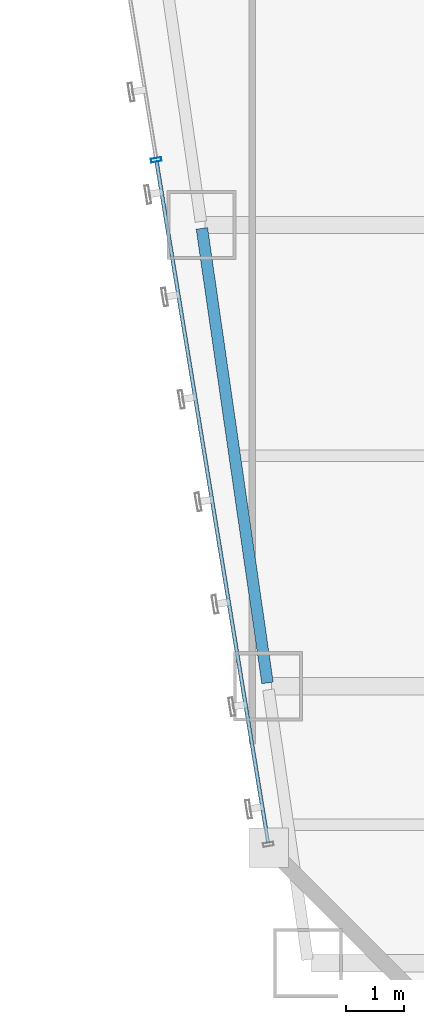
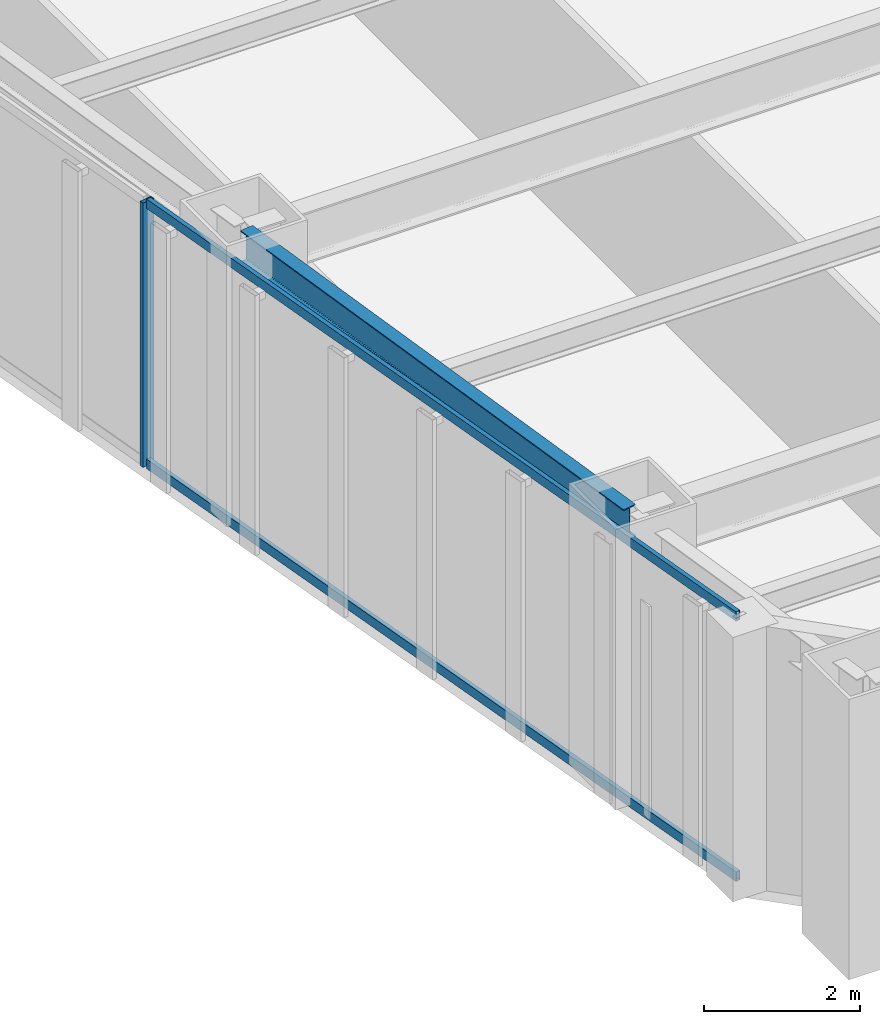
# One storey, part 5 of 47: 3 members, 1 beam, 1 element without a shape of its own.
"""IFC4 building model written with IfcOpenShell, lengths in metres."""

import ifcopenshell
import ifcopenshell.guid

model = None  # the IFC model being written
_history = None  # IfcOwnerHistory: only IFC2X3 demands one
_inside = {}  # id of a spatial element -> (the spatial element, [elements in it])
_under = {}  # id of a project, library or spatial element -> (it, [spatial elements below it])
_declared = {}  # id of a project -> (the project, [libraries it declares])
_typed = {}  # id of a type object -> (the type object, [elements of that type])
_made_of = {}  # id of a material, layer set ... -> (it, [elements and type objects made of it])


def new_model(schema):
    """Start an empty IFC model of exactly this schema.

    Asked for "IFC4X3", IfcOpenShell would pick the latest addendum, in which some entities
    have other attributes; the version numbers below select the first issue.
    IFC2X3 requires an IfcOwnerHistory on every rooted entity: one is made here for all.
    """
    global model, _history
    if schema == "IFC4X3":
        model = ifcopenshell.file(schema_version=(4, 3, 0, 0))
    else:
        model = ifcopenshell.file(schema=schema)
    _inside.clear()
    _under.clear()
    _declared.clear()
    _typed.clear()
    _made_of.clear()
    _history = None
    if model.schema == "IFC2X3":
        org = make("IfcOrganization", Name="unknown")
        user = make(
            "IfcPersonAndOrganization",
            ThePerson=make("IfcPerson", FamilyName="unknown"),
            TheOrganization=org,
        )
        app = make(
            "IfcApplication",
            ApplicationDeveloper=org,
            Version="unknown",
            ApplicationFullName="unknown",
            ApplicationIdentifier="unknown",
        )
        _history = make(
            "IfcOwnerHistory",
            OwningUser=user,
            OwningApplication=app,
            ChangeAction="ADDED",
            CreationDate=0,
        )
    return model


def make(cls, **values):
    """One entity of the class cls with the attributes given. An attribute that is None is left unset."""
    return model.create_entity(
        cls, **{name: value for name, value in values.items() if value is not None}
    )


def rooted(cls, **values):
    """An entity with a GlobalId (a new one), such as an element, a storey or a relation."""
    return make(cls, GlobalId=ifcopenshell.guid.new(), OwnerHistory=_history, **values)


def si_unit(unit_type, name, prefix=None):
    """IfcSIUnit, for example si_unit("LENGTHUNIT", "METRE", prefix="MILLI")."""
    return make("IfcSIUnit", UnitType=unit_type, Prefix=prefix, Name=name)


def assignment(units):
    """IfcUnitAssignment: the units of a project."""
    return None if units is None else make("IfcUnitAssignment", Units=units)


def point(xyz):
    """IfcCartesianPoint."""
    return None if xyz is None else make("IfcCartesianPoint", Coordinates=xyz)


def direction(xyz):
    """IfcDirection."""
    return None if xyz is None else make("IfcDirection", DirectionRatios=xyz)


def frame(location, z_axis=None, x_axis=None):
    """IfcAxis2Placement3D, a coordinate frame: its origin and axes. An axis left out is left unset."""
    return make(
        "IfcAxis2Placement3D",
        Location=point(location),
        Axis=direction(z_axis),
        RefDirection=direction(x_axis),
    )


def frame_2d(location, x_axis=None):
    """IfcAxis2Placement2D, a coordinate frame in the plane: its origin and x axis."""
    return make(
        "IfcAxis2Placement2D", Location=point(location), RefDirection=direction(x_axis)
    )


def origin():
    """The frame at (0, 0, 0) with its axes left unset."""
    return frame((0.0, 0.0, 0.0))


def origin_2d():
    """The frame at (0, 0) in the plane with its x axis left unset."""
    return frame_2d((0.0, 0.0))


def place(relative_to, where):
    """IfcLocalPlacement: puts the frame where relative to a parent placement (None: the world)."""
    return make(
        "IfcLocalPlacement", PlacementRelTo=relative_to, RelativePlacement=where
    )


def context(
    kind, dimensions, precision=None, world=None, true_north=None, identifier=None
):
    """IfcGeometricRepresentationContext, for example the 3D "Model" context."""
    return make(
        "IfcGeometricRepresentationContext",
        ContextIdentifier=identifier,
        ContextType=kind,
        CoordinateSpaceDimension=dimensions,
        Precision=precision,
        WorldCoordinateSystem=world,
        TrueNorth=true_north,
    )


def subcontext(parent, identifier, kind, view, scale=None):
    """IfcGeometricRepresentationSubContext, for example "Body" below "Model"."""
    return make(
        "IfcGeometricRepresentationSubContext",
        ContextIdentifier=identifier,
        ContextType=kind,
        ParentContext=parent,
        TargetScale=scale,
        TargetView=view,
    )


def project(units=None, contexts=None):
    """IfcProject with its units and contexts."""
    return rooted(
        "IfcProject",
        Name="project",
        RepresentationContexts=contexts,
        UnitsInContext=assignment(units),
    )


def spatial(cls, under=None, at=None, **own):
    """A site, building, storey or space (cls), placed at a placement, below another one or the project."""
    s = rooted(cls, ObjectPlacement=at, **own)
    if under is not None:
        _under.setdefault(under.id(), (under, []))[1].append(s)
    return s


def profile(cls, at=None, kind="AREA", **sizes):
    """A parametric profile (cls). Its sizes go by their IFC names, for example OverallWidth=200.0."""
    return make(cls, ProfileType=kind, Position=at, **sizes)


def hollow_rectangle(**sizes):
    """IfcRectangleHollowProfileDef."""
    return profile("IfcRectangleHollowProfileDef", **sizes)


def i_section(**sizes):
    """IfcIShapeProfileDef."""
    return profile("IfcIShapeProfileDef", **sizes)


def extrude(swept, where, along, depth):
    """IfcExtrudedAreaSolid: the profile swept, set in the frame where, extruded along a direction by depth."""
    return make(
        "IfcExtrudedAreaSolid",
        SweptArea=swept,
        Position=where,
        ExtrudedDirection=direction(along),
        Depth=depth,
    )


def shape(context_of_items, identifier, shape_type, items):
    """IfcShapeRepresentation: the items that make up one representation, for example the "Body"."""
    return make(
        "IfcShapeRepresentation",
        ContextOfItems=context_of_items,
        RepresentationIdentifier=identifier,
        RepresentationType=shape_type,
        Items=items,
    )


def material(Name=None, Category=None):
    """IfcMaterial."""
    return make("IfcMaterial", Name=Name, Category=Category)


def material_profile(
    of_material, cross_section, Name=None, Category=None, Priority=None
):
    """IfcMaterialProfile: a cross section and its material."""
    return make(
        "IfcMaterialProfile",
        Name=Name,
        Material=of_material,
        Profile=cross_section,
        Priority=Priority,
        Category=Category,
    )


def profile_set(profiles, Name=None, composite=None):
    """IfcMaterialProfileSet."""
    return make(
        "IfcMaterialProfileSet",
        Name=Name,
        MaterialProfiles=profiles,
        CompositeProfile=composite,
    )


def made_of(thing, what):
    """Note that an element or type object is made of a material, layer set ...; save() writes the relation."""
    if what is not None:
        _made_of.setdefault(what.id(), (what, []))[1].append(thing)
    return thing


def type_object(cls, material=None, **own):
    """A type object (cls), such as IfcWallType, which elements share."""
    return made_of(rooted(cls, **own), material)


def element(
    cls,
    number,
    at=None,
    inside=None,
    cuts=None,
    type_object=None,
    material=None,
    context=None,
    identifier="Body",
    shape_type=None,
    held_by="IfcProductDefinitionShape",
    body=None,
    shapes=None,
    **own,
):
    """One element of the class cls, such as IfcWall. Its Tag is "e" and its number.

    at: its placement. inside: the storey or other place that contains it. cuts: it is an
    opening in that element (IfcRelVoidsElement). A single representation is given by context,
    identifier, shape_type and body (its items); several are given by shapes. held_by: the class
    of the entity that holds the representations. save() writes the other relations.
    """
    e = rooted(cls, Tag="e%d" % number, ObjectPlacement=at, **own)
    if body is not None:
        shapes = [shape(context, identifier, shape_type, body)]
    if shapes is not None:
        e.Representation = make(held_by, Representations=shapes)
    if inside is not None:
        _inside.setdefault(inside.id(), (inside, []))[1].append(e)
    if cuts is not None:
        rooted(
            "IfcRelVoidsElement", RelatingBuildingElement=cuts, RelatedOpeningElement=e
        )
    if type_object is not None:
        _typed.setdefault(type_object.id(), (type_object, []))[1].append(e)
    return made_of(e, material)


def aggregate(whole, parts):
    """IfcRelAggregates: a whole, such as a stair, and the parts it consists of."""
    return rooted("IfcRelAggregates", RelatingObject=whole, RelatedObjects=parts)


def save(model, path):
    """Write the relations noted so far, then the file.

    IfcRelAggregates (storeys below a building ...), IfcRelContainedInSpatialStructure (elements
    in a storey), IfcRelDefinesByType, IfcRelAssociatesMaterial and IfcRelDeclares: one each for
    every whole, place, type object, material and project.
    """
    for whole, parts in _under.values():
        aggregate(whole, parts)
    for where, things in _inside.values():
        rooted(
            "IfcRelContainedInSpatialStructure",
            RelatedElements=things,
            RelatingStructure=where,
        )
    for kind, things in _typed.values():
        rooted("IfcRelDefinesByType", RelatedObjects=things, RelatingType=kind)
    for what, things in _made_of.values():
        rooted("IfcRelAssociatesMaterial", RelatedObjects=things, RelatingMaterial=what)
    for by, libraries in _declared.values():
        rooted("IfcRelDeclares", RelatingContext=by, RelatedDefinitions=libraries)
    model.write(path)


model = new_model("IFC4")

# Units and contexts
model_context = context("Model", 3, precision=1e-05, world=origin(), true_north=direction((0.0, 1.0)))
body_context = subcontext(model_context, "Body", "Model", "MODEL_VIEW")
ifc_project = project(units=[si_unit("LENGTHUNIT", "METRE"), si_unit("AREAUNIT", "SQUARE_METRE"), si_unit("VOLUMEUNIT", "CUBIC_METRE"), si_unit("PLANEANGLEUNIT", "RADIAN"), si_unit("MASSUNIT", "GRAM", prefix="KILO")], contexts=[model_context])

# Site, building, storey
site_placement = place(None, origin())
site = spatial("IfcSite", under=ifc_project, at=site_placement, CompositionType="ELEMENT")
building_placement = place(site_placement, origin())
building = spatial("IfcBuilding", under=site, at=building_placement, Name="Saevonmaru Cultural Tower", CompositionType="ELEMENT")
storey_placement = place(building_placement, frame((0.0, 0.0, 92.800048828125)))
storey = spatial("IfcBuildingStorey", under=building, at=storey_placement, Name="L19", CompositionType="ELEMENT", Elevation=92.800048828125)

# Beam
ifc_material_1 = material(Name="Steel SM355", Category="steel")
ifc_material_profile_1 = material_profile(ifc_material_1, i_section(OverallWidth=0.199951171875, OverallDepth=0.5, WebThickness=0.010009765625, FlangeThickness=0.01611328125, FilletRadius=0.02001953125, at=origin_2d()), Name="H-500x200x10x16")
ifc_profile_set_1 = profile_set([ifc_material_profile_1], Name="Steel SM355")
beam_type = type_object("IfcBeamType", Name="BM-SP-H500", PredefinedType="SPANDREL", material=ifc_profile_set_1)
beam_placement = place(storey_placement, frame((11.7744140625, 8.059326171875, 3.89990234375), z_axis=(-0.142871999001, 0.989741174197, 0.0), x_axis=(-0.989741174197, -0.142871999001, 0.0)))
element("IfcBeam", 1, at=beam_placement, inside=storey, type_object=beam_type, Name="L19 West Splayed Spandrel 2", PredefinedType="SPANDREL", context=body_context, shape_type="SweptSolid", body=[
    extrude(i_section(OverallWidth=0.199951171875, OverallDepth=0.5, WebThickness=0.010009765625, FlangeThickness=0.01611328125, FilletRadius=0.02001953125, at=origin_2d()), origin(), (0.0, 0.0, 1.0), 7.963134765625),
])

# Curtain wall, members
ifc_material_2 = material(Name="Satin Bronze Anodised Aluminium", Category="aluminium")
curtain_wall_type = type_object("IfcCurtainWallType", Name="CW-TYP-A", PredefinedType="NOTDEFINED", material=ifc_material_2)
curtain_wall_placement = place(storey_placement, origin())
curtain_wall = element("IfcCurtainWall", 2, at=curtain_wall_placement, inside=storey, type_object=curtain_wall_type, Name="L19 Unitised Curtain Wall E12", PredefinedType="NOTDEFINED")
ifc_material_profile_2 = material_profile(ifc_material_2, hollow_rectangle(XDim=0.06494140625, YDim=0.179931640625, WallThickness=0.00390625, at=origin_2d()), Name="ALU-MULL-180x65x4")
ifc_profile_set_2 = profile_set([ifc_material_profile_2], Name="Satin Bronze Anodised Aluminium")
member_type_1 = type_object("IfcMemberType", Name="ML-CW-180x65", PredefinedType="MULLION", material=ifc_profile_set_2)
member_1_placement = place(storey_placement, frame((9.84521484375, 17.129638671875, 0.0), z_axis=(0.0, 0.0, 1.0), x_axis=(0.161708868641, -0.986838508472, 0.0)))
member_1 = element("IfcMember", 3, at=member_1_placement, type_object=member_type_1, Name="CW-TW-L19-E12 mullion 4", PredefinedType="MULLION", context=body_context, shape_type="SweptSolid", body=[
    extrude(hollow_rectangle(XDim=0.06494140625, YDim=0.179931640625, WallThickness=0.00390625, at=origin_2d()), origin(), (0.0, 0.0, 1.0), 4.14990234375),
])
ifc_material_profile_3 = material_profile(ifc_material_2, hollow_rectangle(XDim=0.06494140625, YDim=0.14990234375, WallThickness=0.00390625, at=origin_2d()), Name="ALU-TRAN-150x65x4")
ifc_profile_set_3 = profile_set([ifc_material_profile_3], Name="Satin Bronze Anodised Aluminium")
member_type_2 = type_object("IfcMemberType", Name="TR-CW-150x65", PredefinedType="USERDEFINED", material=ifc_profile_set_3)
member_2_placement = place(storey_placement, frame((9.850341796875, 17.097412109375, 0.032470703125), z_axis=(0.161724530373, -0.986835941925, 0.0), x_axis=(0.986835941925, 0.161724530373, 0.0)))
member_2 = element("IfcMember", 4, at=member_2_placement, type_object=member_type_2, Name="CW-TW-L19-E12 transom 4.1", ObjectType="TRANSOM", PredefinedType="USERDEFINED", context=body_context, shape_type="SweptSolid", body=[
    extrude(hollow_rectangle(XDim=0.06494140625, YDim=0.14990234375, WallThickness=0.00390625, at=origin_2d()), origin(), (0.0, 0.0, 1.0), 11.963623046875),
])
member_3_placement = place(storey_placement, frame((9.850341796875, 17.097412109375, 4.117431640625), z_axis=(0.161724530373, -0.986835941925, 0.0), x_axis=(0.986835941925, 0.161724530373, 0.0)))
member_3 = element("IfcMember", 5, at=member_3_placement, type_object=member_type_2, Name="CW-TW-L19-E12 transom 4.2", ObjectType="TRANSOM", PredefinedType="USERDEFINED", context=body_context, shape_type="SweptSolid", body=[
    extrude(hollow_rectangle(XDim=0.06494140625, YDim=0.14990234375, WallThickness=0.00390625, at=origin_2d()), origin(), (0.0, 0.0, 1.0), 11.963623046875),
])
aggregate(curtain_wall, [member_1, member_2, member_3])

save(model, "model.ifc")
